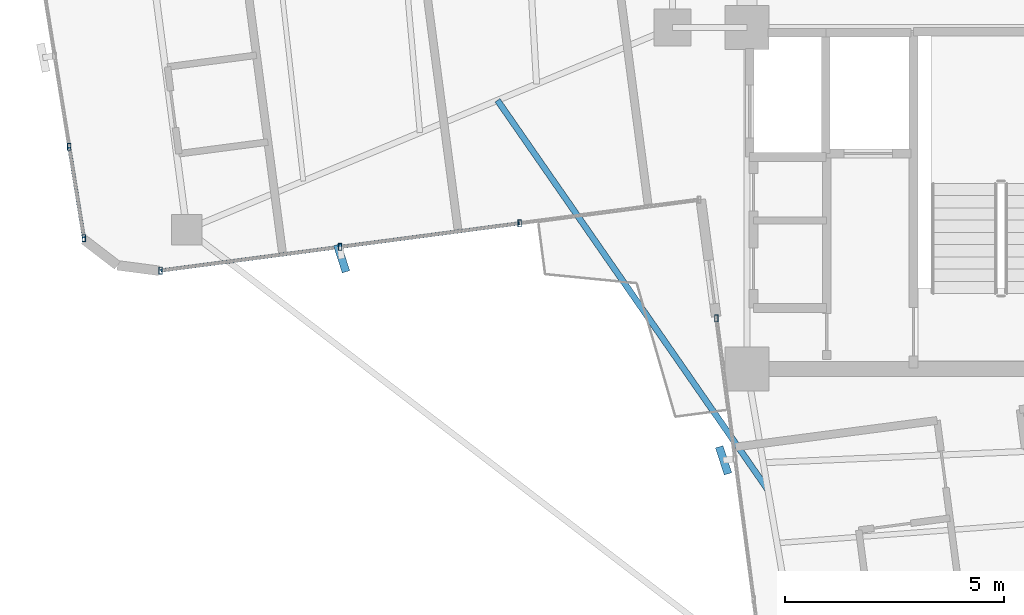
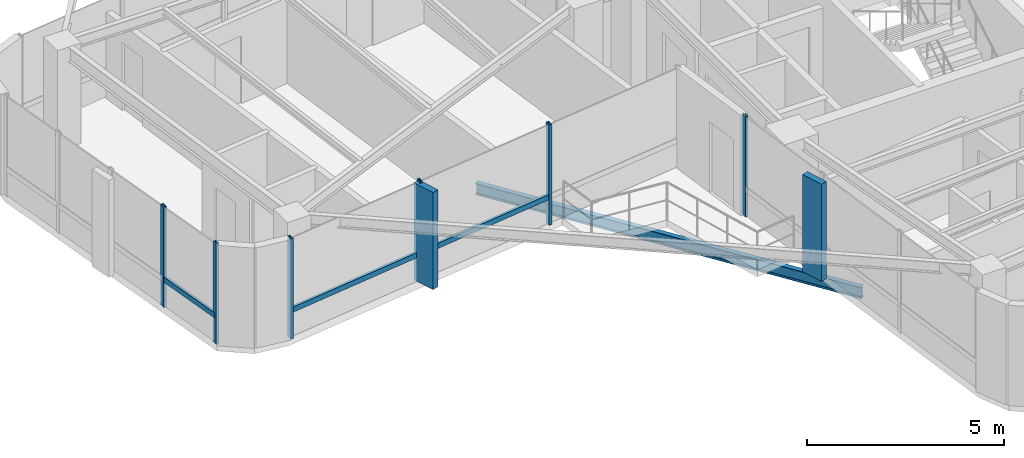
# One storey, part 2 of 22: 11 members, 1 beam, 3 elements without a shape of their own.
"""IFC4 building model written with IfcOpenShell, lengths in metres."""

from ifc_helpers import new_model, si_unit, direction, frame, origin, origin_2d, place, context, subcontext, project, spatial, rectangle, hollow_rectangle, i_section, extrude, source, transform, mapped, material, material_profile, profile_set, type_object, element, aggregate, save


model = new_model("IFC4")

# Units and contexts
model_context = context("Model", 3, precision=1e-05, world=origin(), true_north=direction((0.0, 1.0)))
body_context = subcontext(model_context, "Body", "Model", "MODEL_VIEW")
ifc_project = project(units=[si_unit("LENGTHUNIT", "METRE"), si_unit("AREAUNIT", "SQUARE_METRE"), si_unit("VOLUMEUNIT", "CUBIC_METRE"), si_unit("PLANEANGLEUNIT", "RADIAN"), si_unit("MASSUNIT", "GRAM", prefix="KILO")], contexts=[model_context])

# Site, building, storey
site_placement = place(None, origin())
site = spatial("IfcSite", under=ifc_project, at=site_placement, CompositionType="ELEMENT")
building_placement = place(site_placement, origin())
building = spatial("IfcBuilding", under=site, at=building_placement, Name="Sahyath Konkavel Grand Hotel", CompositionType="ELEMENT")
storey_placement = place(building_placement, frame((0.0, 0.0, 223.25)))
storey = spatial("IfcBuildingStorey", under=building, at=storey_placement, Name="L62", CompositionType="ELEMENT", Elevation=223.25)

# Curtain wall, member
ifc_material_1 = material(Name="Anodised Bronze Aluminium & Low-E Glazing", Category="aluminium")
curtain_wall_type = type_object("IfcCurtainWallType", Name="CW-ZONE4", PredefinedType="NOTDEFINED", material=ifc_material_1)
curtain_wall_1_placement = place(storey_placement, origin())
curtain_wall_1 = element("IfcCurtainWall", 1, at=curtain_wall_1_placement, inside=storey, type_object=curtain_wall_type, Name="L62 Unitised Curtain Wall F23", PredefinedType="NOTDEFINED")
ifc_material_2 = material(Name="Warm Buff Sandstone Cladding on Concrete C50/60", Category="masonry")
ifc_material_profile_1 = material_profile(ifc_material_2, rectangle(XDim=0.179931640625, YDim=0.64990234375, at=origin_2d()), Name="FIN 180x650")
ifc_profile_set_1 = profile_set([ifc_material_profile_1], Name="Warm Buff Sandstone Cladding on Concrete C50/60")
member_type_1 = type_object("IfcMemberType", Name="FIN-SANDSTONE-650", PredefinedType="MULLION", material=ifc_profile_set_1)
shared_shape_1 = source(origin(), body_context, "Body", "SweptSolid", [
    extrude(rectangle(XDim=0.179931640625, YDim=0.64990234375, at=origin_2d()), origin(), (0.0, 0.0, 1.0), 3.010009765625),
])
member_1_placement = place(storey_placement, frame((-13.0595703125, -7.67236328125, 0.050048828125), z_axis=(0.0, 0.0, 1.0), x_axis=(0.951648033235, 0.307190528564, 0.0)))
member_1 = element("IfcMember", 2, at=member_1_placement, type_object=member_type_1, Name="L62 Sandstone Vertical Solar Fin FIN F23-1", PredefinedType="MULLION", context=body_context, shape_type="MappedRepresentation", body=[
    mapped(shared_shape_1, transform((0.0, 0.0, 0.0), scale=1.0)),
])

curtain_wall_2_placement = place(storey_placement, origin())
curtain_wall_2 = element("IfcCurtainWall", 3, at=curtain_wall_2_placement, inside=storey, type_object=curtain_wall_type, Name="L62 Unitised Curtain Wall F24", PredefinedType="NOTDEFINED")
member_2_placement = place(storey_placement, frame((-4.33544921875, -12.28662109375, 0.050048828125), z_axis=(0.0, 0.0, 1.0), x_axis=(0.951648033235, 0.307190528564, 0.0)))
member_2 = element("IfcMember", 4, at=member_2_placement, type_object=member_type_1, Name="L62 Sandstone Vertical Solar Fin FIN F24-1", PredefinedType="MULLION", context=body_context, shape_type="MappedRepresentation", body=[
    mapped(shared_shape_1, transform((0.0, 0.0, 0.0), scale=1.0)),
])

# Curtain wall, members
curtain_wall_3_placement = place(storey_placement, origin())
curtain_wall_3 = element("IfcCurtainWall", 5, at=curtain_wall_3_placement, inside=storey, type_object=curtain_wall_type, Name="L62 Unitised Curtain Wall F20", PredefinedType="NOTDEFINED")
ifc_material_3 = material(Name="Anodised Bronze Aluminium", Category="aluminium")
ifc_material_profile_2 = material_profile(ifc_material_3, hollow_rectangle(XDim=0.080078125, YDim=0.159912109375, WallThickness=0.006103515625, at=origin_2d()), Name="RHS 160x80x6")
ifc_profile_set_2 = profile_set([ifc_material_profile_2], Name="Anodised Bronze Aluminium")
member_type_2 = type_object("IfcMemberType", Name="CW-MUL-160", PredefinedType="MULLION", material=ifc_profile_set_2)
shared_shape_2 = source(origin(), body_context, "Body", "SweptSolid", [
    extrude(hollow_rectangle(XDim=0.080078125, YDim=0.159912109375, WallThickness=0.006103515625, at=origin_2d()), origin(), (0.0, 0.0, 1.0), 3.110107421875),
])
member_3_placement = place(storey_placement, frame((-19.282958984375, -5.130615234375, 0.0), z_axis=(0.0, 0.0, 1.0), x_axis=(1.0, 0.0, 0.0)))
member_3 = element("IfcMember", 6, at=member_3_placement, type_object=member_type_2, Name="L62 Curtain Wall Mullion F20-3", PredefinedType="MULLION", context=body_context, shape_type="MappedRepresentation", body=[
    mapped(shared_shape_2, transform((0.0, 0.0, 0.0), scale=1.0)),
])
member_4_placement = place(storey_placement, frame((-18.947021484375, -7.2119140625, 0.0), z_axis=(0.0, 0.0, 1.0), x_axis=(1.0, 0.0, 0.0)))
member_4 = element("IfcMember", 7, at=member_4_placement, type_object=member_type_2, Name="L62 Curtain Wall Mullion F20-4", PredefinedType="MULLION", context=body_context, shape_type="MappedRepresentation", body=[
    mapped(shared_shape_2, transform((0.0, 0.0, 0.0), scale=1.0)),
])

# Member
member_5_placement = place(storey_placement, frame((-17.19189453125, -7.9541015625, 0.0), z_axis=(0.0, 0.0, 1.0), x_axis=(1.0, 0.0, 0.0)))
member_5 = element("IfcMember", 8, at=member_5_placement, type_object=member_type_2, Name="L62 Curtain Wall Mullion F23-0", PredefinedType="MULLION", context=body_context, shape_type="MappedRepresentation", body=[
    mapped(shared_shape_2, transform((0.0, 0.0, 0.0), scale=1.0)),
])

member_6_placement = place(storey_placement, frame((-13.093505859375, -7.41455078125, 0.0), z_axis=(0.0, 0.0, 1.0), x_axis=(1.0, 0.0, 0.0)))
member_6 = element("IfcMember", 9, at=member_6_placement, type_object=member_type_2, Name="L62 Curtain Wall Mullion F23-1", PredefinedType="MULLION", context=body_context, shape_type="MappedRepresentation", body=[
    mapped(shared_shape_2, transform((0.0, 0.0, 0.0), scale=1.0)),
])

member_7_placement = place(storey_placement, frame((-8.995361328125, -6.875, 0.0), z_axis=(0.0, 0.0, 1.0), x_axis=(1.0, 0.0, 0.0)))
member_7 = element("IfcMember", 10, at=member_7_placement, type_object=member_type_2, Name="L62 Curtain Wall Mullion F23-2", PredefinedType="MULLION", context=body_context, shape_type="MappedRepresentation", body=[
    mapped(shared_shape_2, transform((0.0, 0.0, 0.0), scale=1.0)),
])

member_8_placement = place(storey_placement, frame((-4.499755859375, -9.046875, 0.0), z_axis=(0.0, 0.0, 1.0), x_axis=(1.0, 0.0, 0.0)))
member_8 = element("IfcMember", 11, at=member_8_placement, type_object=member_type_2, Name="L62 Curtain Wall Mullion F24-0", PredefinedType="MULLION", context=body_context, shape_type="MappedRepresentation", body=[
    mapped(shared_shape_2, transform((0.0, 0.0, 0.0), scale=1.0)),
])

aggregate(curtain_wall_2, [member_8, member_2])

ifc_material_profile_3 = material_profile(ifc_material_3, hollow_rectangle(XDim=0.080078125, YDim=0.159912109375, WallThickness=0.006103515625, at=origin_2d()), Name="RHS 160x80x6")
ifc_profile_set_3 = profile_set([ifc_material_profile_3], Name="Anodised Bronze Aluminium")
member_type_3 = type_object("IfcMemberType", Name="CW-TRN-160", PredefinedType="USERDEFINED", material=ifc_profile_set_3)
shared_shape_3 = source(origin(), body_context, "Body", "SweptSolid", [
    extrude(hollow_rectangle(XDim=0.080078125, YDim=0.159912109375, WallThickness=0.006103515625, at=origin_2d()), origin(), (0.0, 0.0, 1.0), 2.108154296875),
])
member_9_placement = place(storey_placement, frame((-19.282958984375, -5.130615234375, 0.85009765625), z_axis=(0.159345304869, -0.987222909892, 0.0), x_axis=(0.987222909892, 0.159345304869, 0.0)))
member_9 = element("IfcMember", 12, at=member_9_placement, type_object=member_type_3, Name="L62 Curtain Wall Transom F20-3-spandrel", ObjectType="TRANSOM", PredefinedType="USERDEFINED", context=body_context, shape_type="MappedRepresentation", body=[
    mapped(shared_shape_3, transform((0.0, 0.0, 0.0), scale=1.0)),
])

aggregate(curtain_wall_3, [member_3, member_4, member_9])

shared_shape_4 = source(origin(), body_context, "Body", "SweptSolid", [
    extrude(hollow_rectangle(XDim=0.080078125, YDim=0.159912109375, WallThickness=0.006103515625, at=origin_2d()), origin(), (0.0, 0.0, 1.0), 4.1337890625),
])
member_10_placement = place(storey_placement, frame((-17.19189453125, -7.9541015625, 0.85009765625), z_axis=(0.991445247163, 0.130523261824, 0.0), x_axis=(-0.130523261824, 0.991445247163, 0.0)))
member_10 = element("IfcMember", 13, at=member_10_placement, type_object=member_type_3, Name="L62 Curtain Wall Transom F23-0-spandrel", ObjectType="TRANSOM", PredefinedType="USERDEFINED", context=body_context, shape_type="MappedRepresentation", body=[
    mapped(shared_shape_4, transform((0.0, 0.0, 0.0), scale=1.0)),
])

shared_shape_5 = source(origin(), body_context, "Body", "SweptSolid", [
    extrude(hollow_rectangle(XDim=0.080078125, YDim=0.159912109375, WallThickness=0.006103515625, at=origin_2d()), origin(), (0.0, 0.0, 1.0), 4.133544921875),
])
member_11_placement = place(storey_placement, frame((-13.093505859375, -7.41455078125, 0.85009765625), z_axis=(0.991444240905, 0.130530905064, 0.0), x_axis=(-0.130530905064, 0.991444240905, 0.0)))
member_11 = element("IfcMember", 14, at=member_11_placement, type_object=member_type_3, Name="L62 Curtain Wall Transom F23-1-spandrel", ObjectType="TRANSOM", PredefinedType="USERDEFINED", context=body_context, shape_type="MappedRepresentation", body=[
    mapped(shared_shape_5, transform((0.0, 0.0, 0.0), scale=1.0)),
])

aggregate(curtain_wall_1, [member_5, member_6, member_1, member_7, member_10, member_11])

# Beam
ifc_material_4 = material(Name="Steel E350", Category="steel")
ifc_material_profile_4 = material_profile(ifc_material_4, i_section(OverallWidth=0.139892578125, OverallDepth=0.35009765625, WebThickness=0.008056640625, FlangeThickness=0.01416015625, FilletRadius=0.013916015625, at=origin_2d()), Name="ISMB 350")
ifc_profile_set_4 = profile_set([ifc_material_profile_4], Name="Steel E350")
beam_type = type_object("IfcBeamType", Name="BM-BALC-CANT", PredefinedType="BEAM", material=ifc_profile_set_4)
shared_shape_6 = source(origin(), body_context, "Body", "SweptSolid", [
    extrude(i_section(OverallWidth=0.139892578125, OverallDepth=0.35009765625, WebThickness=0.008056640625, FlangeThickness=0.01416015625, FilletRadius=0.013916015625, at=origin_2d()), origin(), (0.0, 0.0, 1.0), 10.826904296875),
])
beam_placement = place(storey_placement, frame((-9.50048828125, -4.064697265625, -0.4150390625), z_axis=(0.5702085906, -0.821499947173, 0.0), x_axis=(0.821499947173, 0.5702085906, 0.0)))
element("IfcBeam", 15, at=beam_placement, inside=storey, type_object=beam_type, Name="L62 Balcony Cantilever Support Beam SW", PredefinedType="BEAM", context=body_context, shape_type="MappedRepresentation", body=[
    mapped(shared_shape_6, transform((0.0, 0.0, 0.0), scale=1.0)),
])

save(model, "model.ifc")
